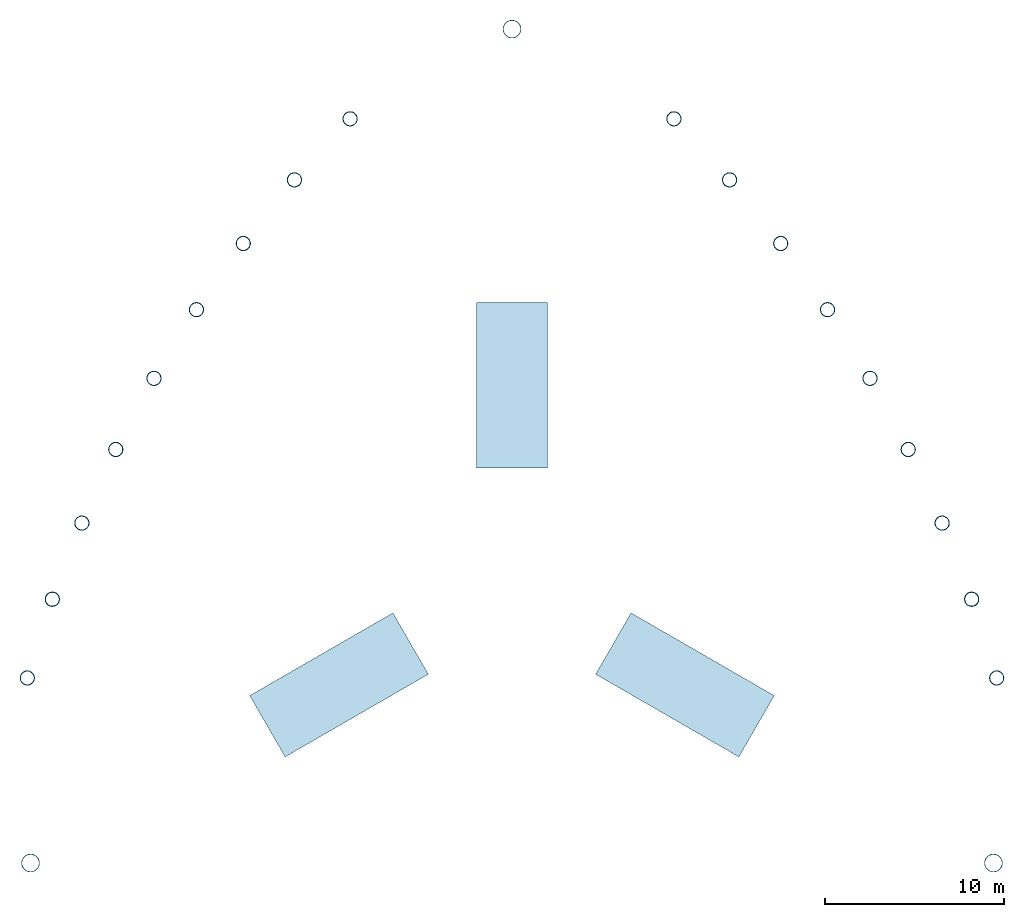
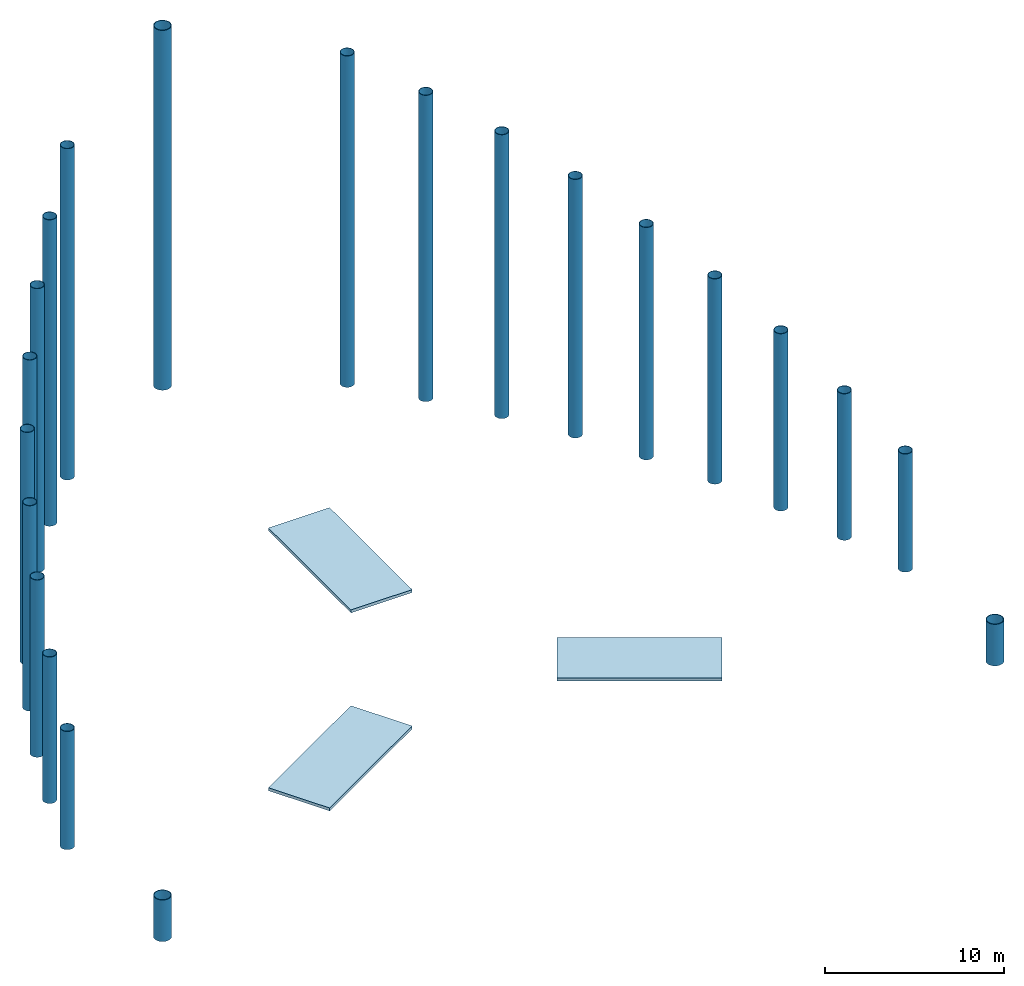
# One storey: 21 columns, 3 slabs.
"""IFC4 building model written with IfcOpenShell, lengths in metres."""

import ifcopenshell
import ifcopenshell.guid

model = None  # the IFC model being written
_history = None  # IfcOwnerHistory: only IFC2X3 demands one
_inside = {}  # id of a spatial element -> (the spatial element, [elements in it])
_under = {}  # id of a project, library or spatial element -> (it, [spatial elements below it])
_declared = {}  # id of a project -> (the project, [libraries it declares])
_typed = {}  # id of a type object -> (the type object, [elements of that type])
_made_of = {}  # id of a material, layer set ... -> (it, [elements and type objects made of it])


def new_model(schema):
    """Start an empty IFC model of exactly this schema.

    Asked for "IFC4X3", IfcOpenShell would pick the latest addendum, in which some entities
    have other attributes; the version numbers below select the first issue.
    IFC2X3 requires an IfcOwnerHistory on every rooted entity: one is made here for all.
    """
    global model, _history
    if schema == "IFC4X3":
        model = ifcopenshell.file(schema_version=(4, 3, 0, 0))
    else:
        model = ifcopenshell.file(schema=schema)
    _inside.clear()
    _under.clear()
    _declared.clear()
    _typed.clear()
    _made_of.clear()
    _history = None
    if model.schema == "IFC2X3":
        org = make("IfcOrganization", Name="unknown")
        user = make(
            "IfcPersonAndOrganization",
            ThePerson=make("IfcPerson", FamilyName="unknown"),
            TheOrganization=org,
        )
        app = make(
            "IfcApplication",
            ApplicationDeveloper=org,
            Version="unknown",
            ApplicationFullName="unknown",
            ApplicationIdentifier="unknown",
        )
        _history = make(
            "IfcOwnerHistory",
            OwningUser=user,
            OwningApplication=app,
            ChangeAction="ADDED",
            CreationDate=0,
        )
    return model


def make(cls, **values):
    """One entity of the class cls with the attributes given. An attribute that is None is left unset."""
    return model.create_entity(
        cls, **{name: value for name, value in values.items() if value is not None}
    )


def rooted(cls, **values):
    """An entity with a GlobalId (a new one), such as an element, a storey or a relation."""
    return make(cls, GlobalId=ifcopenshell.guid.new(), OwnerHistory=_history, **values)


def si_unit(unit_type, name, prefix=None):
    """IfcSIUnit, for example si_unit("LENGTHUNIT", "METRE", prefix="MILLI")."""
    return make("IfcSIUnit", UnitType=unit_type, Prefix=prefix, Name=name)


def assignment(units):
    """IfcUnitAssignment: the units of a project."""
    return None if units is None else make("IfcUnitAssignment", Units=units)


def point(xyz):
    """IfcCartesianPoint."""
    return None if xyz is None else make("IfcCartesianPoint", Coordinates=xyz)


def direction(xyz):
    """IfcDirection."""
    return None if xyz is None else make("IfcDirection", DirectionRatios=xyz)


def frame(location, z_axis=None, x_axis=None):
    """IfcAxis2Placement3D, a coordinate frame: its origin and axes. An axis left out is left unset."""
    return make(
        "IfcAxis2Placement3D",
        Location=point(location),
        Axis=direction(z_axis),
        RefDirection=direction(x_axis),
    )


def frame_2d(location, x_axis=None):
    """IfcAxis2Placement2D, a coordinate frame in the plane: its origin and x axis."""
    return make(
        "IfcAxis2Placement2D", Location=point(location), RefDirection=direction(x_axis)
    )


def origin():
    """The frame at (0, 0, 0) with its axes left unset."""
    return frame((0.0, 0.0, 0.0))


def origin_2d():
    """The frame at (0, 0) in the plane with its x axis left unset."""
    return frame_2d((0.0, 0.0))


def place(relative_to, where):
    """IfcLocalPlacement: puts the frame where relative to a parent placement (None: the world)."""
    return make(
        "IfcLocalPlacement", PlacementRelTo=relative_to, RelativePlacement=where
    )


def context(
    kind, dimensions, precision=None, world=None, true_north=None, identifier=None
):
    """IfcGeometricRepresentationContext, for example the 3D "Model" context."""
    return make(
        "IfcGeometricRepresentationContext",
        ContextIdentifier=identifier,
        ContextType=kind,
        CoordinateSpaceDimension=dimensions,
        Precision=precision,
        WorldCoordinateSystem=world,
        TrueNorth=true_north,
    )


def subcontext(parent, identifier, kind, view, scale=None):
    """IfcGeometricRepresentationSubContext, for example "Body" below "Model"."""
    return make(
        "IfcGeometricRepresentationSubContext",
        ContextIdentifier=identifier,
        ContextType=kind,
        ParentContext=parent,
        TargetScale=scale,
        TargetView=view,
    )


def project(units=None, contexts=None):
    """IfcProject with its units and contexts."""
    return rooted(
        "IfcProject",
        Name="project",
        RepresentationContexts=contexts,
        UnitsInContext=assignment(units),
    )


def spatial(cls, under=None, at=None, **own):
    """A site, building, storey or space (cls), placed at a placement, below another one or the project."""
    s = rooted(cls, ObjectPlacement=at, **own)
    if under is not None:
        _under.setdefault(under.id(), (under, []))[1].append(s)
    return s


def polyline(points):
    """IfcPolyline through the points."""
    return make("IfcPolyline", Points=[point(p) for p in points])


def profile(cls, at=None, kind="AREA", **sizes):
    """A parametric profile (cls). Its sizes go by their IFC names, for example OverallWidth=200.0."""
    return make(cls, ProfileType=kind, Position=at, **sizes)


def hollow_circle(**sizes):
    """IfcCircleHollowProfileDef."""
    return profile("IfcCircleHollowProfileDef", **sizes)


def outline(outer, holes=None, kind="AREA"):
    """IfcArbitraryClosedProfileDef: a profile drawn as a closed curve; with holes, ...WithVoids."""
    if holes is None:
        return make("IfcArbitraryClosedProfileDef", ProfileType=kind, OuterCurve=outer)
    return make(
        "IfcArbitraryProfileDefWithVoids",
        ProfileType=kind,
        OuterCurve=outer,
        InnerCurves=holes,
    )


def extrude(swept, where, along, depth):
    """IfcExtrudedAreaSolid: the profile swept, set in the frame where, extruded along a direction by depth."""
    return make(
        "IfcExtrudedAreaSolid",
        SweptArea=swept,
        Position=where,
        ExtrudedDirection=direction(along),
        Depth=depth,
    )


def shape(context_of_items, identifier, shape_type, items):
    """IfcShapeRepresentation: the items that make up one representation, for example the "Body"."""
    return make(
        "IfcShapeRepresentation",
        ContextOfItems=context_of_items,
        RepresentationIdentifier=identifier,
        RepresentationType=shape_type,
        Items=items,
    )


def material(Name=None, Category=None):
    """IfcMaterial."""
    return make("IfcMaterial", Name=Name, Category=Category)


def layer(
    of_material, thickness, ventilated=None, Name=None, Category=None, Priority=None
):
    """IfcMaterialLayer: one layer of a wall or slab, of a material (None: an air gap)."""
    return make(
        "IfcMaterialLayer",
        Material=of_material,
        LayerThickness=thickness,
        IsVentilated=ventilated,
        Name=Name,
        Category=Category,
        Priority=Priority,
    )


def layer_set(layers, Name=None):
    """IfcMaterialLayerSet."""
    return make("IfcMaterialLayerSet", MaterialLayers=layers, LayerSetName=Name)


def material_profile(
    of_material, cross_section, Name=None, Category=None, Priority=None
):
    """IfcMaterialProfile: a cross section and its material."""
    return make(
        "IfcMaterialProfile",
        Name=Name,
        Material=of_material,
        Profile=cross_section,
        Priority=Priority,
        Category=Category,
    )


def profile_set(profiles, Name=None, composite=None):
    """IfcMaterialProfileSet."""
    return make(
        "IfcMaterialProfileSet",
        Name=Name,
        MaterialProfiles=profiles,
        CompositeProfile=composite,
    )


def made_of(thing, what):
    """Note that an element or type object is made of a material, layer set ...; save() writes the relation."""
    if what is not None:
        _made_of.setdefault(what.id(), (what, []))[1].append(thing)
    return thing


def type_object(cls, material=None, **own):
    """A type object (cls), such as IfcWallType, which elements share."""
    return made_of(rooted(cls, **own), material)


def element(
    cls,
    number,
    at=None,
    inside=None,
    cuts=None,
    type_object=None,
    material=None,
    context=None,
    identifier="Body",
    shape_type=None,
    held_by="IfcProductDefinitionShape",
    body=None,
    shapes=None,
    **own,
):
    """One element of the class cls, such as IfcWall. Its Tag is "e" and its number.

    at: its placement. inside: the storey or other place that contains it. cuts: it is an
    opening in that element (IfcRelVoidsElement). A single representation is given by context,
    identifier, shape_type and body (its items); several are given by shapes. held_by: the class
    of the entity that holds the representations. save() writes the other relations.
    """
    e = rooted(cls, Tag="e%d" % number, ObjectPlacement=at, **own)
    if body is not None:
        shapes = [shape(context, identifier, shape_type, body)]
    if shapes is not None:
        e.Representation = make(held_by, Representations=shapes)
    if inside is not None:
        _inside.setdefault(inside.id(), (inside, []))[1].append(e)
    if cuts is not None:
        rooted(
            "IfcRelVoidsElement", RelatingBuildingElement=cuts, RelatedOpeningElement=e
        )
    if type_object is not None:
        _typed.setdefault(type_object.id(), (type_object, []))[1].append(e)
    return made_of(e, material)


def aggregate(whole, parts):
    """IfcRelAggregates: a whole, such as a stair, and the parts it consists of."""
    return rooted("IfcRelAggregates", RelatingObject=whole, RelatedObjects=parts)


def save(model, path):
    """Write the relations noted so far, then the file.

    IfcRelAggregates (storeys below a building ...), IfcRelContainedInSpatialStructure (elements
    in a storey), IfcRelDefinesByType, IfcRelAssociatesMaterial and IfcRelDeclares: one each for
    every whole, place, type object, material and project.
    """
    for whole, parts in _under.values():
        aggregate(whole, parts)
    for where, things in _inside.values():
        rooted(
            "IfcRelContainedInSpatialStructure",
            RelatedElements=things,
            RelatingStructure=where,
        )
    for kind, things in _typed.values():
        rooted("IfcRelDefinesByType", RelatedObjects=things, RelatingType=kind)
    for what, things in _made_of.values():
        rooted("IfcRelAssociatesMaterial", RelatedObjects=things, RelatingMaterial=what)
    for by, libraries in _declared.values():
        rooted("IfcRelDeclares", RelatingContext=by, RelatedDefinitions=libraries)
    model.write(path)


model = new_model("IFC4")

# Units and contexts
model_context = context("Model", 3, precision=1e-05, world=origin(), true_north=direction((0.0, 1.0)))
body_context = subcontext(model_context, "Body", "Model", "MODEL_VIEW")
ifc_project = project(units=[si_unit("LENGTHUNIT", "METRE"), si_unit("AREAUNIT", "SQUARE_METRE"), si_unit("VOLUMEUNIT", "CUBIC_METRE"), si_unit("PLANEANGLEUNIT", "RADIAN"), si_unit("MASSUNIT", "GRAM", prefix="KILO")], contexts=[model_context])

# Site, building, storey
site_placement = place(None, origin())
site = spatial("IfcSite", under=ifc_project, at=site_placement, CompositionType="ELEMENT")
building_placement = place(site_placement, origin())
building = spatial("IfcBuilding", under=site, at=building_placement, Name="Trefoil Bronze Tower", CompositionType="ELEMENT")
storey_placement = place(building_placement, frame((0.0, 0.0, 331.699951171875)))
storey = spatial("IfcBuildingStorey", under=building, at=storey_placement, Name="ROOF", CompositionType="ELEMENT", Elevation=331.699951171875)

# Columns
ifc_material_1 = material(Name="Steel C355", Category="steel")
ifc_material_profile_1 = material_profile(ifc_material_1, hollow_circle(Radius=0.406494140625, WallThickness=0.030029296875, at=origin_2d()), Name="CHS 813x30")
ifc_profile_set_1 = profile_set([ifc_material_profile_1], Name="Steel C355")
column_type_1 = type_object("IfcColumnType", Name="Crown column CHS 813x30", PredefinedType="COLUMN", material=ifc_profile_set_1)
column_1_placement = place(storey_placement, frame((27.02734375, -5.180419921875, 0.0), z_axis=(0.0, 0.0, 1.0), x_axis=(1.0, 0.0, 0.0)))
element("IfcColumn", 1, at=column_1_placement, inside=storey, type_object=column_type_1, Name="Crown column F2/-4 ROOF", PredefinedType="COLUMN", context=body_context, shape_type="SweptSolid", body=[
    extrude(hollow_circle(Radius=0.406494140625, WallThickness=0.030029296875, at=origin_2d()), origin(), (0.0, 0.0, 1.0), 8.06005859375),
])
column_2_placement = place(storey_placement, frame((25.631591796875, -0.7900390625, 0.0), z_axis=(0.0, 0.0, 1.0), x_axis=(1.0, 0.0, 0.0)))
element("IfcColumn", 2, at=column_2_placement, inside=storey, type_object=column_type_1, Name="Crown column F2/-3 ROOF", PredefinedType="COLUMN", context=body_context, shape_type="SweptSolid", body=[
    extrude(hollow_circle(Radius=0.406494140625, WallThickness=0.030029296875, at=origin_2d()), origin(), (0.0, 0.0, 1.0), 9.989013671875),
])
column_3_placement = place(storey_placement, frame((23.98486328125, 3.455322265625, 0.0), z_axis=(0.0, 0.0, 1.0), x_axis=(1.0, 0.0, 0.0)))
element("IfcColumn", 3, at=column_3_placement, inside=storey, type_object=column_type_1, Name="Crown column F2/-2 ROOF", PredefinedType="COLUMN", context=body_context, shape_type="SweptSolid", body=[
    extrude(hollow_circle(Radius=0.406494140625, WallThickness=0.030029296875, at=origin_2d()), origin(), (0.0, 0.0, 1.0), 12.0869140625),
])
column_4_placement = place(storey_placement, frame((22.093994140625, 7.559814453125, 0.0), z_axis=(0.0, 0.0, 1.0), x_axis=(1.0, 0.0, 0.0)))
element("IfcColumn", 4, at=column_4_placement, inside=storey, type_object=column_type_1, Name="Crown column F2/-1 ROOF", PredefinedType="COLUMN", context=body_context, shape_type="SweptSolid", body=[
    extrude(hollow_circle(Radius=0.406494140625, WallThickness=0.030029296875, at=origin_2d()), origin(), (0.0, 0.0, 1.0), 14.0009765625),
])
column_5_placement = place(storey_placement, frame((19.96337890625, 11.52587890625, 0.0), z_axis=(0.0, 0.0, 1.0), x_axis=(1.0, 0.0, 0.0)))
element("IfcColumn", 5, at=column_5_placement, inside=storey, type_object=column_type_1, Name="Crown column F2/+0 ROOF", PredefinedType="COLUMN", context=body_context, shape_type="SweptSolid", body=[
    extrude(hollow_circle(Radius=0.406494140625, WallThickness=0.030029296875, at=origin_2d()), origin(), (0.0, 0.0, 1.0), 15.850341796875),
])
column_6_placement = place(storey_placement, frame((17.593994140625, 15.35400390625, 0.0), z_axis=(0.0, 0.0, 1.0), x_axis=(1.0, 0.0, 0.0)))
element("IfcColumn", 6, at=column_6_placement, inside=storey, type_object=column_type_1, Name="Crown column F2/+1 ROOF", PredefinedType="COLUMN", context=body_context, shape_type="SweptSolid", body=[
    extrude(hollow_circle(Radius=0.406494140625, WallThickness=0.030029296875, at=origin_2d()), origin(), (0.0, 0.0, 1.0), 17.635498046875),
])
column_7_placement = place(storey_placement, frame((14.98486328125, 19.043701171875, 0.0), z_axis=(0.0, 0.0, 1.0), x_axis=(1.0, 0.0, 0.0)))
element("IfcColumn", 7, at=column_7_placement, inside=storey, type_object=column_type_1, Name="Crown column F2/+2 ROOF", PredefinedType="COLUMN", context=body_context, shape_type="SweptSolid", body=[
    extrude(hollow_circle(Radius=0.406494140625, WallThickness=0.030029296875, at=origin_2d()), origin(), (0.0, 0.0, 1.0), 19.35595703125),
])
column_8_placement = place(storey_placement, frame((12.131591796875, 22.5927734375, 0.0), z_axis=(0.0, 0.0, 1.0), x_axis=(1.0, 0.0, 0.0)))
element("IfcColumn", 8, at=column_8_placement, inside=storey, type_object=column_type_1, Name="Crown column F2/+3 ROOF", PredefinedType="COLUMN", context=body_context, shape_type="SweptSolid", body=[
    extrude(hollow_circle(Radius=0.406494140625, WallThickness=0.030029296875, at=origin_2d()), origin(), (0.0, 0.0, 1.0), 20.892578125),
])
for number, where, z_axis, x_axis, name in (
    (9, (9.02734375, 25.99658203125, 0.0), (0.0, 0.0, 1.0), (1.0, 0.0, 0.0), "Crown column F2/+4 ROOF"),
    (10, (-9.02734375, 25.99658203125, 0.0), (0.0, 0.0, 1.0), (1.0, 0.0, 0.0), "Crown column F3/-4 ROOF"),
):
    element("IfcColumn", number, at=place(storey_placement, frame(where, z_axis=z_axis, x_axis=x_axis)), inside=storey, type_object=column_type_1, Name=name, PredefinedType="COLUMN", context=body_context, shape_type="SweptSolid", body=[
        extrude(hollow_circle(Radius=0.406494140625, WallThickness=0.030029296875, at=origin_2d()), origin(), (0.0, 0.0, 1.0), 22.59814453125),
    ])
column_9_placement = place(storey_placement, frame((-12.131591796875, 22.5927734375, 0.0), z_axis=(0.0, 0.0, 1.0), x_axis=(1.0, 0.0, 0.0)))
element("IfcColumn", 11, at=column_9_placement, inside=storey, type_object=column_type_1, Name="Crown column F3/-3 ROOF", PredefinedType="COLUMN", context=body_context, shape_type="SweptSolid", body=[
    extrude(hollow_circle(Radius=0.406494140625, WallThickness=0.030029296875, at=origin_2d()), origin(), (0.0, 0.0, 1.0), 20.892578125),
])
column_10_placement = place(storey_placement, frame((-14.98486328125, 19.043701171875, 0.0), z_axis=(0.0, 0.0, 1.0), x_axis=(1.0, 0.0, 0.0)))
element("IfcColumn", 12, at=column_10_placement, inside=storey, type_object=column_type_1, Name="Crown column F3/-2 ROOF", PredefinedType="COLUMN", context=body_context, shape_type="SweptSolid", body=[
    extrude(hollow_circle(Radius=0.406494140625, WallThickness=0.030029296875, at=origin_2d()), origin(), (0.0, 0.0, 1.0), 19.35595703125),
])
column_11_placement = place(storey_placement, frame((-17.593994140625, 15.35400390625, 0.0), z_axis=(0.0, 0.0, 1.0), x_axis=(1.0, 0.0, 0.0)))
element("IfcColumn", 13, at=column_11_placement, inside=storey, type_object=column_type_1, Name="Crown column F3/-1 ROOF", PredefinedType="COLUMN", context=body_context, shape_type="SweptSolid", body=[
    extrude(hollow_circle(Radius=0.406494140625, WallThickness=0.030029296875, at=origin_2d()), origin(), (0.0, 0.0, 1.0), 17.635498046875),
])
column_12_placement = place(storey_placement, frame((-19.96337890625, 11.52587890625, 0.0), z_axis=(0.0, 0.0, 1.0), x_axis=(1.0, 0.0, 0.0)))
element("IfcColumn", 14, at=column_12_placement, inside=storey, type_object=column_type_1, Name="Crown column F3/+0 ROOF", PredefinedType="COLUMN", context=body_context, shape_type="SweptSolid", body=[
    extrude(hollow_circle(Radius=0.406494140625, WallThickness=0.030029296875, at=origin_2d()), origin(), (0.0, 0.0, 1.0), 15.850341796875),
])
column_13_placement = place(storey_placement, frame((-22.093994140625, 7.559814453125, 0.0), z_axis=(0.0, 0.0, 1.0), x_axis=(1.0, 0.0, 0.0)))
element("IfcColumn", 15, at=column_13_placement, inside=storey, type_object=column_type_1, Name="Crown column F3/+1 ROOF", PredefinedType="COLUMN", context=body_context, shape_type="SweptSolid", body=[
    extrude(hollow_circle(Radius=0.406494140625, WallThickness=0.030029296875, at=origin_2d()), origin(), (0.0, 0.0, 1.0), 14.0009765625),
])
column_14_placement = place(storey_placement, frame((-23.98486328125, 3.455322265625, 0.0), z_axis=(0.0, 0.0, 1.0), x_axis=(1.0, 0.0, 0.0)))
element("IfcColumn", 16, at=column_14_placement, inside=storey, type_object=column_type_1, Name="Crown column F3/+2 ROOF", PredefinedType="COLUMN", context=body_context, shape_type="SweptSolid", body=[
    extrude(hollow_circle(Radius=0.406494140625, WallThickness=0.030029296875, at=origin_2d()), origin(), (0.0, 0.0, 1.0), 12.0869140625),
])
column_15_placement = place(storey_placement, frame((-25.631591796875, -0.7900390625, 0.0), z_axis=(0.0, 0.0, 1.0), x_axis=(1.0, 0.0, 0.0)))
element("IfcColumn", 17, at=column_15_placement, inside=storey, type_object=column_type_1, Name="Crown column F3/+3 ROOF", PredefinedType="COLUMN", context=body_context, shape_type="SweptSolid", body=[
    extrude(hollow_circle(Radius=0.406494140625, WallThickness=0.030029296875, at=origin_2d()), origin(), (0.0, 0.0, 1.0), 9.989013671875),
])
column_16_placement = place(storey_placement, frame((-27.02734375, -5.180419921875, 0.0), z_axis=(0.0, 0.0, 1.0), x_axis=(1.0, 0.0, 0.0)))
element("IfcColumn", 18, at=column_16_placement, inside=storey, type_object=column_type_1, Name="Crown column F3/+4 ROOF", PredefinedType="COLUMN", context=body_context, shape_type="SweptSolid", body=[
    extrude(hollow_circle(Radius=0.406494140625, WallThickness=0.030029296875, at=origin_2d()), origin(), (0.0, 0.0, 1.0), 8.06005859375),
])
ifc_material_2 = material(Name="Steel C355", Category="steel")
ifc_material_profile_2 = material_profile(ifc_material_2, hollow_circle(Radius=0.508056640625, WallThickness=0.0400390625, at=origin_2d()), Name="CHS 1016x40")
ifc_profile_set_2 = profile_set([ifc_material_profile_2], Name="Steel C355")
column_type_2 = type_object("IfcColumnType", Name="Crown mega column CHS 1016x40", PredefinedType="COLUMN", material=ifc_profile_set_2)
column_17_placement = place(storey_placement, frame((26.8466796875, -15.5, 0.0), z_axis=(0.0, 0.0, 1.0), x_axis=(1.0, 0.0, 0.0)))
element("IfcColumn", 19, at=column_17_placement, inside=storey, type_object=column_type_2, Name="Crown corner column K1 ROOF", PredefinedType="COLUMN", context=body_context, shape_type="SweptSolid", body=[
    extrude(hollow_circle(Radius=0.508056640625, WallThickness=0.0400390625, at=origin_2d()), origin(), (0.0, 0.0, 1.0), 2.834228515625),
])
column_18_placement = place(storey_placement, frame((0.0, 31.0, 0.0), z_axis=(0.0, 0.0, 1.0), x_axis=(1.0, 0.0, 0.0)))
element("IfcColumn", 20, at=column_18_placement, inside=storey, type_object=column_type_2, Name="Crown corner column K2 ROOF", PredefinedType="COLUMN", context=body_context, shape_type="SweptSolid", body=[
    extrude(hollow_circle(Radius=0.508056640625, WallThickness=0.0400390625, at=origin_2d()), origin(), (0.0, 0.0, 1.0), 24.539794921875),
])
column_19_placement = place(storey_placement, frame((-26.8466796875, -15.5, 0.0), z_axis=(0.0, 0.0, 1.0), x_axis=(1.0, 0.0, 0.0)))
element("IfcColumn", 21, at=column_19_placement, inside=storey, type_object=column_type_2, Name="Crown corner column K3 ROOF", PredefinedType="COLUMN", context=body_context, shape_type="SweptSolid", body=[
    extrude(hollow_circle(Radius=0.508056640625, WallThickness=0.0400390625, at=origin_2d()), origin(), (0.0, 0.0, 1.0), 2.834228515625),
])

# Slabs
ifc_material_3 = material(Name="Concrete B80", Category="concrete")
ifc_layer = layer(ifc_material_3, 0.199951171875)
ifc_layer_set = layer_set([ifc_layer], Name="Stair roof slab 200")
slab_type = type_object("IfcSlabType", Name="Stair roof slab 200", PredefinedType="ROOF", material=ifc_layer_set)
slab_1_placement = place(storey_placement, origin())
element("IfcSlab", 22, at=slab_1_placement, inside=storey, type_object=slab_type, Name="Stair head-house roof ST1", PredefinedType="ROOF", context=body_context, shape_type="SweptSolid", body=[
    extrude(outline(polyline([(4.663330078125, -4.972900390625), (12.65234375, -9.58544921875), (14.62744140625, -6.16455078125), (6.638427734375, -1.552001953125), (4.663330078125, -4.972900390625)])), origin(), (0.0, 0.0, 1.0), 0.199951171875),
])
slab_2_placement = place(storey_placement, origin())
element("IfcSlab", 23, at=slab_2_placement, inside=storey, type_object=slab_type, Name="Stair head-house roof ST2", PredefinedType="ROOF", context=body_context, shape_type="SweptSolid", body=[
    extrude(outline(polyline([(1.97509765625, 6.52490234375), (1.97509765625, 15.75), (-1.97509765625, 15.75), (-1.97509765625, 6.52490234375), (1.97509765625, 6.52490234375)])), origin(), (0.0, 0.0, 1.0), 0.199951171875),
])
slab_3_placement = place(storey_placement, origin())
element("IfcSlab", 24, at=slab_3_placement, inside=storey, type_object=slab_type, Name="Stair head-house roof ST3", PredefinedType="ROOF", context=body_context, shape_type="SweptSolid", body=[
    extrude(outline(polyline([(-6.638427734375, -1.552001953125), (-14.62744140625, -6.16455078125), (-12.65234375, -9.58544921875), (-4.663330078125, -4.972900390625), (-6.638427734375, -1.552001953125)])), origin(), (0.0, 0.0, 1.0), 0.199951171875),
])

save(model, "model.ifc")
